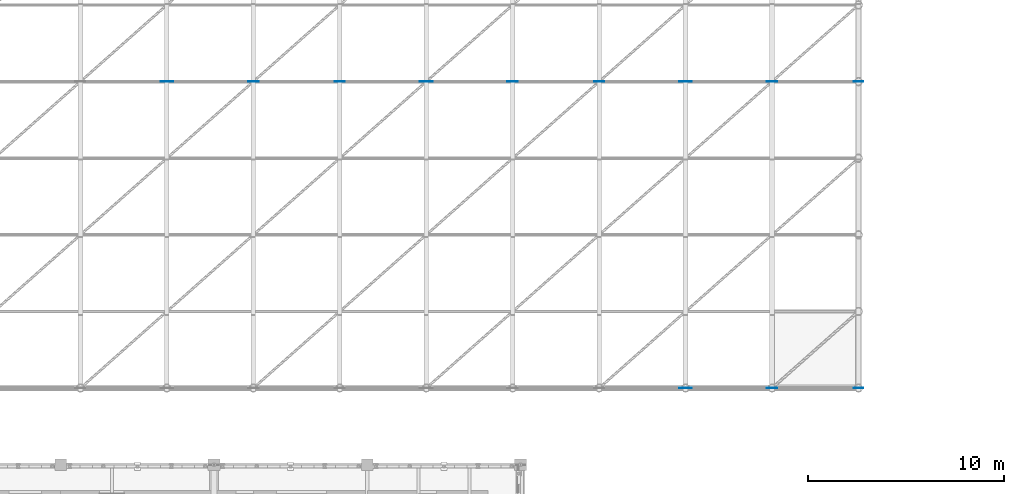
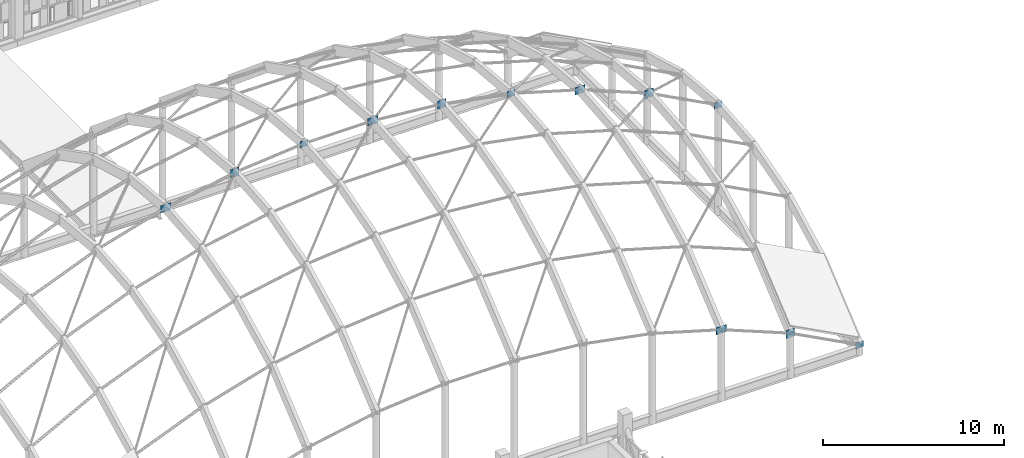
# One storey, part 80 of 119: 12 plates.
"""IFC4 building model written with IfcOpenShell, lengths in metres."""

from ifc_helpers import new_model, si_unit, direction, frame, origin, origin_2d, place, context, subcontext, project, spatial, rectangle, extrude, material, layer, layer_set, type_object, element, save


model = new_model("IFC4")

# Units and contexts
model_context = context("Model", 3, precision=1e-05, world=origin(), true_north=direction((0.0, 1.0)))
body_context = subcontext(model_context, "Body", "Model", "MODEL_VIEW")
ifc_project = project(units=[si_unit("LENGTHUNIT", "METRE"), si_unit("AREAUNIT", "SQUARE_METRE"), si_unit("VOLUMEUNIT", "CUBIC_METRE"), si_unit("PLANEANGLEUNIT", "RADIAN"), si_unit("MASSUNIT", "GRAM", prefix="KILO")], contexts=[model_context])

# Site, building, storey
site_placement = place(None, origin())
site = spatial("IfcSite", under=ifc_project, at=site_placement, CompositionType="ELEMENT")
building_placement = place(site_placement, origin())
building = spatial("IfcBuilding", under=site, at=building_placement, Name="Celorna Specialist Clinic", CompositionType="ELEMENT")
storey_placement = place(building_placement, frame((0.0, 0.0, 9.60009765625)))
storey = spatial("IfcBuildingStorey", under=building, at=storey_placement, Name="L02", CompositionType="ELEMENT", Elevation=9.60009765625)

# Plates
ifc_material = material(Name="Steel S355", Category="steel")
ifc_layer_1 = layer(ifc_material, 0.02197265625, Name="Steel S355")
ifc_layer_set_1 = layer_set([ifc_layer_1], Name="Steel S355")
plate_type_1 = type_object("IfcPlateType", Name="GP-03", PredefinedType="USERDEFINED", material=ifc_layer_set_1)
for number, where, z_axis, x_axis, name in (
    (1, (67.800048828125, 62.39990234375, 12.45703125), (0.0, 0.0, 1.0), (1.0, 0.0, 0.0), "GSH-V1 gridshell steel node shoe GN-04"),
    (2, (81.0, 62.39990234375, 13.70849609375), (0.0, 0.0, 1.0), (1.0, 0.0, 0.0), "GSH-V1 gridshell steel node shoe GN-07"),
    (3, (94.199951171875, 46.800048828125, 4.46533203125), (0.0, 0.0, 1.0), (1.0, 0.0, 0.0), "GSH-V1 gridshell steel node shoe GN-10"),
    (4, (94.199951171875, 62.39990234375, 11.17041015625), (0.0, 0.0, 1.0), (1.0, 0.0, 0.0), "GSH-V1 gridshell steel node shoe GN-10"),
):
    element("IfcPlate", number, at=place(storey_placement, frame(where, z_axis=z_axis, x_axis=x_axis)), inside=storey, type_object=plate_type_1, Name=name, ObjectType="GUSSET PLATE", PredefinedType="USERDEFINED", context=body_context, shape_type="SweptSolid", body=[
        extrude(rectangle(XDim=0.639892578125, YDim=0.02197265625, at=origin_2d()), origin(), (0.0, 0.0, 1.0), 0.47998046875),
    ])
ifc_layer_2 = layer(ifc_material, 0.02001953125, Name="Steel S355")
ifc_layer_set_2 = layer_set([ifc_layer_2], Name="Steel S355")
plate_type_2 = type_object("IfcPlateType", Name="GP-04", PredefinedType="USERDEFINED", material=ifc_layer_set_2)
for number, where, z_axis, x_axis, name in (
    (5, (72.199951171875, 62.39990234375, 13.264892578125), (0.0, 0.0, 1.0), (1.0, 0.0, 0.0), "GSH-V1 gridshell steel node shoe GN-05"),
    (6, (85.39990234375, 62.39990234375, 13.264892578125), (0.0, 0.0, 1.0), (1.0, 0.0, 0.0), "GSH-V1 gridshell steel node shoe GN-08"),
    (7, (98.60009765625, 46.800048828125, 2.659423828125), (0.0, 0.0, 1.0), (1.0, 0.0, 0.0), "GSH-V1 gridshell steel node shoe GN-11"),
    (8, (98.60009765625, 62.39990234375, 9.364501953125), (0.0, 0.0, 1.0), (1.0, 0.0, 0.0), "GSH-V1 gridshell steel node shoe GN-11"),
):
    element("IfcPlate", number, at=place(storey_placement, frame(where, z_axis=z_axis, x_axis=x_axis)), inside=storey, type_object=plate_type_2, Name=name, ObjectType="GUSSET PLATE", PredefinedType="USERDEFINED", context=body_context, shape_type="SweptSolid", body=[
        extrude(rectangle(XDim=0.5400390625, YDim=0.02001953125, at=origin_2d()), origin(), (0.0, 0.0, 1.0), 0.5400390625),
    ])
ifc_layer_3 = layer(ifc_material, 0.02001953125, Name="Steel S355")
ifc_layer_set_3 = layer_set([ifc_layer_3], Name="Steel S355")
plate_type_3 = type_object("IfcPlateType", Name="GP-08", PredefinedType="USERDEFINED", material=ifc_layer_set_3)
for number, where, z_axis, x_axis, name in (
    (9, (76.60009765625, 62.39990234375, 13.74853515625), (0.0, 0.0, 1.0), (1.0, 0.0, 0.0), "GSH-V1 gridshell steel node shoe GN-06"),
    (10, (89.800048828125, 62.39990234375, 12.4970703125), (0.0, 0.0, 1.0), (1.0, 0.0, 0.0), "GSH-V1 gridshell steel node shoe GN-09"),
    (11, (103.0, 46.800048828125, 0.39990234375), (0.0, 0.0, 1.0), (1.0, 0.0, 0.0), "GSH-V1 gridshell steel node shoe GN-12"),
    (12, (103.0, 62.39990234375, 7.10498046875), (0.0, 0.0, 1.0), (1.0, 0.0, 0.0), "GSH-V1 gridshell steel node shoe GN-12"),
):
    element("IfcPlate", number, at=place(storey_placement, frame(where, z_axis=z_axis, x_axis=x_axis)), inside=storey, type_object=plate_type_3, Name=name, ObjectType="GUSSET PLATE", PredefinedType="USERDEFINED", context=body_context, shape_type="SweptSolid", body=[
        extrude(rectangle(XDim=0.5, YDim=0.02001953125, at=origin_2d()), origin(), (0.0, 0.0, 1.0), 0.39990234375),
    ])

save(model, "model.ifc")
